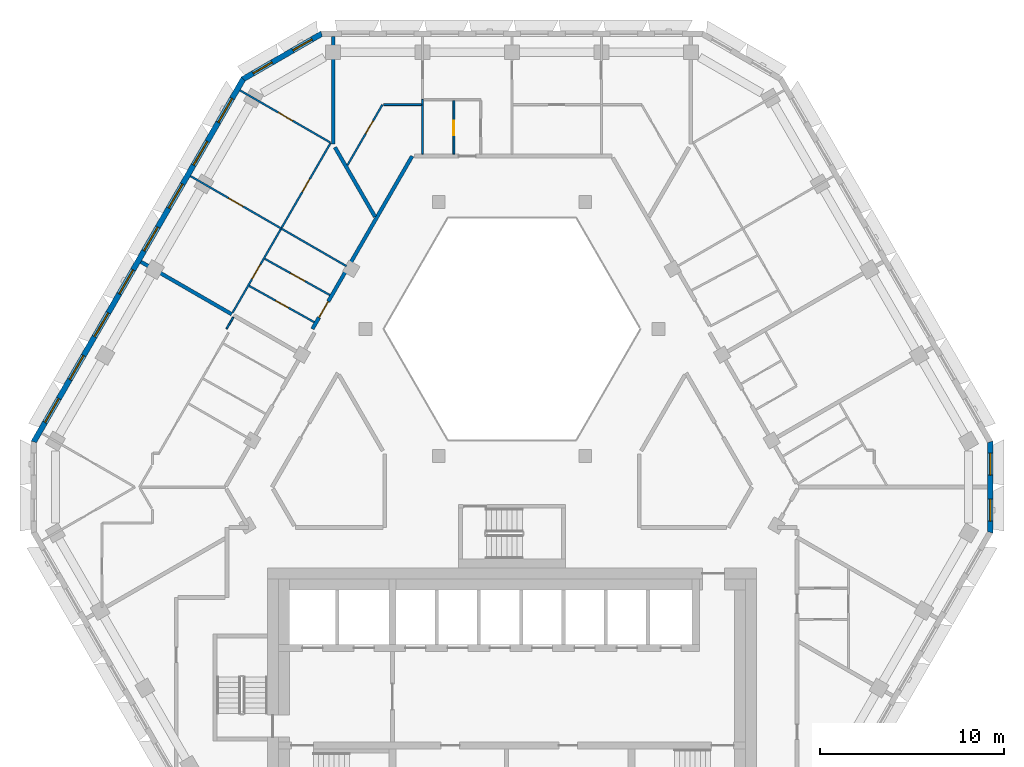
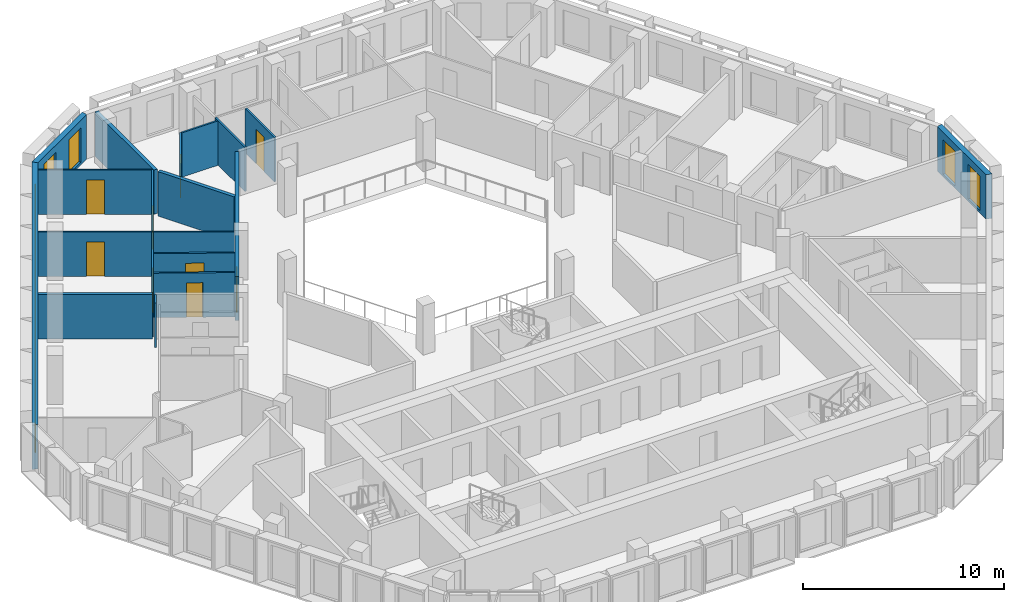
# One storey, part 7 of 18: 18 walls, 12 windows, 9 doors, 21 openings.
"""IFC4 building model written with IfcOpenShell, lengths in metres."""

from ifc_helpers import new_model, si_unit, direction, frame, frame_2d, origin, place, context, subcontext, project, spatial, polyline, rectangle, outline, extrude, material, layer, layer_set, type_object, element, fill, save


model = new_model("IFC4")

# Units and contexts
model_context = context("Model", 3, precision=1e-05, world=origin(), true_north=direction((0.0, 1.0)))
body_context = subcontext(model_context, "Body", "Model", "MODEL_VIEW")
ifc_project = project(units=[si_unit("LENGTHUNIT", "METRE"), si_unit("AREAUNIT", "SQUARE_METRE"), si_unit("VOLUMEUNIT", "CUBIC_METRE"), si_unit("PLANEANGLEUNIT", "RADIAN"), si_unit("MASSUNIT", "GRAM", prefix="KILO")], contexts=[model_context])

# Site, building, storey
site_placement = place(None, origin())
site = spatial("IfcSite", under=ifc_project, at=site_placement, CompositionType="ELEMENT")
building_placement = place(site_placement, origin())
building = spatial("IfcBuilding", under=site, at=building_placement, Name="Beryl Residences", CompositionType="ELEMENT")
storey_placement = place(building_placement, frame((0.0, 0.0, 184.199951171875)))
storey = spatial("IfcBuildingStorey", under=building, at=storey_placement, Name="L56", CompositionType="ELEMENT", Elevation=184.199951171875)

# Wall, openings, windows
ifc_material_1 = material(Name="Composite metal panel with mineral wool insulation")
ifc_layer_1 = layer(ifc_material_1, 0.300048828125)
ifc_layer_set_1 = layer_set([ifc_layer_1], Name="ES1 pale metal composite panel wall 300 mm")
wall_type_1 = type_object("IfcWallType", Name="ES1 pale metal composite panel wall 300 mm", PredefinedType="SOLIDWALL", material=ifc_layer_set_1)
wall_1_placement = place(storey_placement, frame((-10.31689453125, 24.070068359375, 0.0), z_axis=(0.0, 0.0, 1.0), x_axis=(-0.866022959057, -0.500004234368, 0.0)))
wall_1 = element("IfcWall", 1, at=wall_1_placement, inside=storey, type_object=wall_type_1, Name="ES1 external wall L56 N-NW", PredefinedType="SOLIDWALL", context=body_context, shape_type="SweptSolid", body=[
    extrude(outline(polyline([(0.0, -0.14990234375), (5.0, -0.14990234375), (4.919677734375, 0.14990234375), (0.080322265625, 0.14990234375), (0.0, -0.14990234375)])), origin(), (0.0, 0.0, 1.0), 2.699951171875),
])
opening_1_placement = place(wall_1_placement, frame((0.64990234375, 0.0, 0.14990234375)))
opening_1 = element("IfcOpeningElement", 2, at=opening_1_placement, cuts=wall_1, Name="Opening W2", PredefinedType="OPENING", context=body_context, shape_type="SweptSolid", body=[
    extrude(rectangle(XDim=1.199951171875, YDim=2.10009765625, at=frame_2d((0.60009765625, 1.050048828125))), frame((0.0, 0.159912109375, 0.0), z_axis=(0.0, -1.0, 0.0), x_axis=(1.0, 0.0, 0.0)), (0.0, 0.0, 1.0), 0.320068359375),
])
opening_2_placement = place(wall_1_placement, frame((3.14892578125, 0.0, 0.14990234375)))
opening_2 = element("IfcOpeningElement", 3, at=opening_2_placement, cuts=wall_1, Name="Opening W2", PredefinedType="OPENING", context=body_context, shape_type="SweptSolid", body=[
    extrude(rectangle(XDim=1.199951171875, YDim=2.10009765625, at=frame_2d((0.60009765625, 1.050048828125))), frame((0.0, 0.159912109375, 0.0), z_axis=(0.0, -1.0, 0.0), x_axis=(1.0, 0.0, 0.0)), (0.0, 0.0, 1.0), 0.320068359375),
])
ifc_material_2 = material(Name="Aluminium and clear glass", Category="aluminium")
window_type_1 = type_object("IfcWindowType", Name="W2 chamfer window 1200 x 2100 mm", PartitioningType="SINGLE_PANEL", PredefinedType="WINDOW", material=ifc_material_2)
window_1_placement = place(opening_1_placement, origin())
window_1 = element("IfcWindow", 4, at=window_1_placement, inside=storey, type_object=window_type_1, Name="W2 window L56 N-NW 1", OverallHeight=2.10009765625, OverallWidth=1.199951171875, PartitioningType="SINGLE_PANEL", PredefinedType="WINDOW", context=body_context, shape_type="SweptSolid", body=[
    extrude(rectangle(XDim=1.199951171875, YDim=2.10009765625, at=frame_2d((0.60009765625, 1.050048828125))), frame((0.0, 0.030029296875, 0.0), z_axis=(0.0, -1.0, 0.0), x_axis=(1.0, 0.0, 0.0)), (0.0, 0.0, 1.0), 0.06005859375),
])
fill(opening_1, window_1)
window_2_placement = place(opening_2_placement, origin())
window_2 = element("IfcWindow", 5, at=window_2_placement, inside=storey, type_object=window_type_1, Name="W2 window L56 N-NW 2", OverallHeight=2.10009765625, OverallWidth=1.199951171875, PartitioningType="SINGLE_PANEL", PredefinedType="WINDOW", context=body_context, shape_type="SweptSolid", body=[
    extrude(rectangle(XDim=1.199951171875, YDim=2.10009765625, at=frame_2d((0.60009765625, 1.050048828125))), frame((0.0, 0.030029296875, 0.0), z_axis=(0.0, -1.0, 0.0), x_axis=(1.0, 0.0, 0.0)), (0.0, 0.0, 1.0), 0.06005859375),
])
fill(opening_2, window_2)

wall_2_placement = place(storey_placement, frame((-14.592041015625, 21.625, 0.0), z_axis=(0.0, 0.0, 1.0), x_axis=(-0.500010537973, -0.866019319597, 0.0)))
wall_2 = element("IfcWall", 6, at=wall_2_placement, inside=storey, type_object=wall_type_1, Name="ES1 external wall L56 NW", PredefinedType="SOLIDWALL", context=body_context, shape_type="SweptSolid", body=[
    extrude(outline(polyline([(0.0, -0.14990234375), (22.86328125, -0.14990234375), (22.782958984375, 0.14990234375), (0.080322265625, 0.14990234375), (0.0, -0.14990234375)])), origin(), (0.0, 0.0, 1.0), 2.699951171875),
])
opening_3_placement = place(wall_2_placement, frame((1.259033203125, 0.0, 0.14990234375)))
opening_3 = element("IfcOpeningElement", 7, at=opening_3_placement, cuts=wall_2, Name="Opening W1", PredefinedType="OPENING", context=body_context, shape_type="SweptSolid", body=[
    extrude(rectangle(XDim=1.5, YDim=2.10009765625, at=frame_2d((0.75, 1.050048828125))), frame((0.0, 0.159912109375, 0.0), z_axis=(0.0, -1.0, 0.0), x_axis=(1.0, 0.0, 0.0)), (0.0, 0.0, 1.0), 0.320068359375),
])
opening_4_placement = place(wall_2_placement, frame((3.951904296875, 0.0, 0.14990234375)))
opening_4 = element("IfcOpeningElement", 8, at=opening_4_placement, cuts=wall_2, Name="Opening W1", PredefinedType="OPENING", context=body_context, shape_type="SweptSolid", body=[
    extrude(rectangle(XDim=1.5, YDim=2.10009765625, at=frame_2d((0.75, 1.050048828125))), frame((0.0, 0.159912109375, 0.0), z_axis=(0.0, -1.0, 0.0), x_axis=(1.0, 0.0, 0.0)), (0.0, 0.0, 1.0), 0.320068359375),
])
opening_5_placement = place(wall_2_placement, frame((6.64404296875, 0.0, 0.14990234375)))
opening_5 = element("IfcOpeningElement", 9, at=opening_5_placement, cuts=wall_2, Name="Opening W1", PredefinedType="OPENING", context=body_context, shape_type="SweptSolid", body=[
    extrude(rectangle(XDim=1.5, YDim=2.10009765625, at=frame_2d((0.75, 1.050048828125))), frame((0.0, 0.159912109375, 0.0), z_axis=(0.0, -1.0, 0.0), x_axis=(1.0, 0.0, 0.0)), (0.0, 0.0, 1.0), 0.320068359375),
])
opening_6_placement = place(wall_2_placement, frame((9.3349609375, 0.0, 0.14990234375)))
opening_6 = element("IfcOpeningElement", 10, at=opening_6_placement, cuts=wall_2, Name="Opening W1", PredefinedType="OPENING", context=body_context, shape_type="SweptSolid", body=[
    extrude(rectangle(XDim=1.5, YDim=2.10009765625, at=frame_2d((0.75, 1.050048828125))), frame((0.0, 0.159912109375, 0.0), z_axis=(0.0, -1.0, 0.0), x_axis=(1.0, 0.0, 0.0)), (0.0, 0.0, 1.0), 0.320068359375),
])
opening_7_placement = place(wall_2_placement, frame((12.028076171875, 0.0, 0.14990234375)))
opening_7 = element("IfcOpeningElement", 11, at=opening_7_placement, cuts=wall_2, Name="Opening W1", PredefinedType="OPENING", context=body_context, shape_type="SweptSolid", body=[
    extrude(rectangle(XDim=1.5, YDim=2.10009765625, at=frame_2d((0.75, 1.050048828125))), frame((0.0, 0.159912109375, 0.0), z_axis=(0.0, -1.0, 0.0), x_axis=(1.0, 0.0, 0.0)), (0.0, 0.0, 1.0), 0.320068359375),
])
opening_8_placement = place(wall_2_placement, frame((14.719970703125, 0.0, 0.14990234375)))
opening_8 = element("IfcOpeningElement", 12, at=opening_8_placement, cuts=wall_2, Name="Opening W1", PredefinedType="OPENING", context=body_context, shape_type="SweptSolid", body=[
    extrude(rectangle(XDim=1.5, YDim=2.10009765625, at=frame_2d((0.75, 1.050048828125))), frame((0.0, 0.159912109375, 0.0), z_axis=(0.0, -1.0, 0.0), x_axis=(1.0, 0.0, 0.0)), (0.0, 0.0, 1.0), 0.320068359375),
])
opening_9_placement = place(wall_2_placement, frame((17.410888671875, 0.0, 0.14990234375)))
opening_9 = element("IfcOpeningElement", 13, at=opening_9_placement, cuts=wall_2, Name="Opening W1", PredefinedType="OPENING", context=body_context, shape_type="SweptSolid", body=[
    extrude(rectangle(XDim=1.5, YDim=2.10009765625, at=frame_2d((0.75, 1.050048828125))), frame((0.0, 0.159912109375, 0.0), z_axis=(0.0, -1.0, 0.0), x_axis=(1.0, 0.0, 0.0)), (0.0, 0.0, 1.0), 0.320068359375),
])
opening_10_placement = place(wall_2_placement, frame((20.10400390625, 0.0, 0.14990234375)))
opening_10 = element("IfcOpeningElement", 14, at=opening_10_placement, cuts=wall_2, Name="Opening W1", PredefinedType="OPENING", context=body_context, shape_type="SweptSolid", body=[
    extrude(rectangle(XDim=1.5, YDim=2.10009765625, at=frame_2d((0.75, 1.050048828125))), frame((0.0, 0.159912109375, 0.0), z_axis=(0.0, -1.0, 0.0), x_axis=(1.0, 0.0, 0.0)), (0.0, 0.0, 1.0), 0.320068359375),
])
ifc_material_3 = material(Name="Aluminium and clear glass", Category="aluminium")
window_type_2 = type_object("IfcWindowType", Name="W1 cell window 1500 x 2100 mm", PartitioningType="SINGLE_PANEL", PredefinedType="WINDOW", material=ifc_material_3)
window_3_placement = place(opening_3_placement, origin())
window_3 = element("IfcWindow", 15, at=window_3_placement, inside=storey, type_object=window_type_2, Name="W1 window L56 NW 1", OverallHeight=2.10009765625, OverallWidth=1.5, PartitioningType="SINGLE_PANEL", PredefinedType="WINDOW", context=body_context, shape_type="SweptSolid", body=[
    extrude(rectangle(XDim=1.5, YDim=2.10009765625, at=frame_2d((0.75, 1.050048828125))), frame((0.0, 0.030029296875, 0.0), z_axis=(0.0, -1.0, 0.0), x_axis=(1.0, 0.0, 0.0)), (0.0, 0.0, 1.0), 0.06005859375),
])
fill(opening_3, window_3)
window_4_placement = place(opening_4_placement, origin())
window_4 = element("IfcWindow", 16, at=window_4_placement, inside=storey, type_object=window_type_2, Name="W1 window L56 NW 2", OverallHeight=2.10009765625, OverallWidth=1.5, PartitioningType="SINGLE_PANEL", PredefinedType="WINDOW", context=body_context, shape_type="SweptSolid", body=[
    extrude(rectangle(XDim=1.5, YDim=2.10009765625, at=frame_2d((0.75, 1.050048828125))), frame((0.0, 0.030029296875, 0.0), z_axis=(0.0, -1.0, 0.0), x_axis=(1.0, 0.0, 0.0)), (0.0, 0.0, 1.0), 0.06005859375),
])
fill(opening_4, window_4)
window_5_placement = place(opening_5_placement, origin())
window_5 = element("IfcWindow", 17, at=window_5_placement, inside=storey, type_object=window_type_2, Name="W1 window L56 NW 3", OverallHeight=2.10009765625, OverallWidth=1.5, PartitioningType="SINGLE_PANEL", PredefinedType="WINDOW", context=body_context, shape_type="SweptSolid", body=[
    extrude(rectangle(XDim=1.5, YDim=2.10009765625, at=frame_2d((0.75, 1.050048828125))), frame((0.0, 0.030029296875, 0.0), z_axis=(0.0, -1.0, 0.0), x_axis=(1.0, 0.0, 0.0)), (0.0, 0.0, 1.0), 0.06005859375),
])
fill(opening_5, window_5)
window_6_placement = place(opening_6_placement, origin())
window_6 = element("IfcWindow", 18, at=window_6_placement, inside=storey, type_object=window_type_2, Name="W1 window L56 NW 4", OverallHeight=2.10009765625, OverallWidth=1.5, PartitioningType="SINGLE_PANEL", PredefinedType="WINDOW", context=body_context, shape_type="SweptSolid", body=[
    extrude(rectangle(XDim=1.5, YDim=2.10009765625, at=frame_2d((0.75, 1.050048828125))), frame((0.0, 0.030029296875, 0.0), z_axis=(0.0, -1.0, 0.0), x_axis=(1.0, 0.0, 0.0)), (0.0, 0.0, 1.0), 0.06005859375),
])
fill(opening_6, window_6)
window_7_placement = place(opening_7_placement, origin())
window_7 = element("IfcWindow", 19, at=window_7_placement, inside=storey, type_object=window_type_2, Name="W1 window L56 NW 5", OverallHeight=2.10009765625, OverallWidth=1.5, PartitioningType="SINGLE_PANEL", PredefinedType="WINDOW", context=body_context, shape_type="SweptSolid", body=[
    extrude(rectangle(XDim=1.5, YDim=2.10009765625, at=frame_2d((0.75, 1.050048828125))), frame((0.0, 0.030029296875, 0.0), z_axis=(0.0, -1.0, 0.0), x_axis=(1.0, 0.0, 0.0)), (0.0, 0.0, 1.0), 0.06005859375),
])
fill(opening_7, window_7)
window_8_placement = place(opening_8_placement, origin())
window_8 = element("IfcWindow", 20, at=window_8_placement, inside=storey, type_object=window_type_2, Name="W1 window L56 NW 6", OverallHeight=2.10009765625, OverallWidth=1.5, PartitioningType="SINGLE_PANEL", PredefinedType="WINDOW", context=body_context, shape_type="SweptSolid", body=[
    extrude(rectangle(XDim=1.5, YDim=2.10009765625, at=frame_2d((0.75, 1.050048828125))), frame((0.0, 0.030029296875, 0.0), z_axis=(0.0, -1.0, 0.0), x_axis=(1.0, 0.0, 0.0)), (0.0, 0.0, 1.0), 0.06005859375),
])
fill(opening_8, window_8)
window_9_placement = place(opening_9_placement, origin())
window_9 = element("IfcWindow", 21, at=window_9_placement, inside=storey, type_object=window_type_2, Name="W1 window L56 NW 7", OverallHeight=2.10009765625, OverallWidth=1.5, PartitioningType="SINGLE_PANEL", PredefinedType="WINDOW", context=body_context, shape_type="SweptSolid", body=[
    extrude(rectangle(XDim=1.5, YDim=2.10009765625, at=frame_2d((0.75, 1.050048828125))), frame((0.0, 0.030029296875, 0.0), z_axis=(0.0, -1.0, 0.0), x_axis=(1.0, 0.0, 0.0)), (0.0, 0.0, 1.0), 0.06005859375),
])
fill(opening_9, window_9)
window_10_placement = place(opening_10_placement, origin())
window_10 = element("IfcWindow", 22, at=window_10_placement, inside=storey, type_object=window_type_2, Name="W1 window L56 NW 8", OverallHeight=2.10009765625, OverallWidth=1.5, PartitioningType="SINGLE_PANEL", PredefinedType="WINDOW", context=body_context, shape_type="SweptSolid", body=[
    extrude(rectangle(XDim=1.5, YDim=2.10009765625, at=frame_2d((0.75, 1.050048828125))), frame((0.0, 0.030029296875, 0.0), z_axis=(0.0, -1.0, 0.0), x_axis=(1.0, 0.0, 0.0)), (0.0, 0.0, 1.0), 0.06005859375),
])
fill(opening_10, window_10)

wall_3_placement = place(storey_placement, frame((26.00390625, -3.10009765625, 0.0), z_axis=(0.0, 0.0, 1.0), x_axis=(0.0, 1.0, 0.0)))
wall_3 = element("IfcWall", 23, at=wall_3_placement, inside=storey, type_object=wall_type_1, Name="ES1 external wall L56 SE-NE", PredefinedType="SOLIDWALL", context=body_context, shape_type="SweptSolid", body=[
    extrude(outline(polyline([(0.0, -0.14990234375), (5.0, -0.14990234375), (4.919677734375, 0.14990234375), (0.080322265625, 0.14990234375), (0.0, -0.14990234375)])), origin(), (0.0, 0.0, 1.0), 2.699951171875),
])
opening_11_placement = place(wall_3_placement, frame((0.64990234375, 0.0, 0.14990234375)))
opening_11 = element("IfcOpeningElement", 24, at=opening_11_placement, cuts=wall_3, Name="Opening W2", PredefinedType="OPENING", context=body_context, shape_type="SweptSolid", body=[
    extrude(rectangle(XDim=1.199951171875, YDim=2.10009765625, at=frame_2d((0.60009765625, 1.050048828125))), frame((0.0, 0.159912109375, 0.0), z_axis=(0.0, -1.0, 0.0), x_axis=(1.0, 0.0, 0.0)), (0.0, 0.0, 1.0), 0.320068359375),
])
opening_12_placement = place(wall_3_placement, frame((3.14990234375, 0.0, 0.14990234375)))
opening_12 = element("IfcOpeningElement", 25, at=opening_12_placement, cuts=wall_3, Name="Opening W2", PredefinedType="OPENING", context=body_context, shape_type="SweptSolid", body=[
    extrude(rectangle(XDim=1.199951171875, YDim=2.10009765625, at=frame_2d((0.60009765625, 1.050048828125))), frame((0.0, 0.159912109375, 0.0), z_axis=(0.0, -1.0, 0.0), x_axis=(1.0, 0.0, 0.0)), (0.0, 0.0, 1.0), 0.320068359375),
])
window_11_placement = place(opening_11_placement, origin())
window_11 = element("IfcWindow", 26, at=window_11_placement, inside=storey, type_object=window_type_1, Name="W2 window L56 SE-NE 1", OverallHeight=2.10009765625, OverallWidth=1.199951171875, PartitioningType="SINGLE_PANEL", PredefinedType="WINDOW", context=body_context, shape_type="SweptSolid", body=[
    extrude(rectangle(XDim=1.199951171875, YDim=2.10009765625, at=frame_2d((0.60009765625, 1.050048828125))), frame((0.0, 0.030029296875, 0.0), z_axis=(0.0, -1.0, 0.0), x_axis=(1.0, 0.0, 0.0)), (0.0, 0.0, 1.0), 0.06005859375),
])
fill(opening_11, window_11)
window_12_placement = place(opening_12_placement, origin())
window_12 = element("IfcWindow", 27, at=window_12_placement, inside=storey, type_object=window_type_1, Name="W2 window L56 SE-NE 2", OverallHeight=2.10009765625, OverallWidth=1.199951171875, PartitioningType="SINGLE_PANEL", PredefinedType="WINDOW", context=body_context, shape_type="SweptSolid", body=[
    extrude(rectangle(XDim=1.199951171875, YDim=2.10009765625, at=frame_2d((0.60009765625, 1.050048828125))), frame((0.0, 0.030029296875, 0.0), z_axis=(0.0, -1.0, 0.0), x_axis=(1.0, 0.0, 0.0)), (0.0, 0.0, 1.0), 0.06005859375),
])
fill(opening_12, window_12)

# Wall, opening, door
ifc_material_4 = material(Name="Gypsum board partition on steel studs", Category="steel")
ifc_layer_2 = layer(ifc_material_4, 0.10009765625)
ifc_layer_set_2 = layer_set([ifc_layer_2], Name="PT1 partition 100 mm gypsum board on steel studs")
wall_type_2 = type_object("IfcWallType", Name="PT1 partition 100 mm gypsum board on steel studs", PredefinedType="PARTITIONING", material=ifc_layer_set_2)
wall_4_placement = place(storey_placement, frame((-13.444091796875, 11.81396484375, 0.0), z_axis=(0.0, 0.0, 1.0), x_axis=(0.873653620945, -0.486548405207, 0.0)))
wall_4 = element("IfcWall", 28, at=wall_4_placement, inside=storey, type_object=wall_type_2, Name="Wall PT1 L56 009", PredefinedType="PARTITIONING", context=body_context, shape_type="SweptSolid", body=[
    extrude(rectangle(XDim=4.05078125, YDim=0.10009765625, at=frame_2d((2.025390625, 0.0))), origin(), (0.0, 0.0, 1.0), 2.699951171875),
])
opening_13_placement = place(wall_4_placement, frame((1.60009765625, 0.0, 0.0)))
opening_13 = element("IfcOpeningElement", 29, at=opening_13_placement, cuts=wall_4, Name="Opening D1519", PredefinedType="OPENING", context=body_context, shape_type="SweptSolid", body=[
    extrude(rectangle(XDim=0.89990234375, YDim=2.10009765625, at=frame_2d((0.449951171875, 1.050048828125))), frame((0.0, 0.06005859375, 0.0), z_axis=(0.0, -1.0, 0.0), x_axis=(1.0, 0.0, 0.0)), (0.0, 0.0, 1.0), 0.1201171875),
])
ifc_material_5 = material(Name="Timber door leaf", Category="wood")
door_type_1 = type_object("IfcDoorType", Name="D2 room door 900 x 2100 mm", OperationType="SINGLE_SWING_LEFT", PredefinedType="DOOR", material=ifc_material_5)
door_1_placement = place(opening_13_placement, origin())
door_1 = element("IfcDoor", 30, at=door_1_placement, inside=storey, type_object=door_type_1, Name="Door D1519 L56 001", OperationType="SINGLE_SWING_LEFT", OverallHeight=2.10009765625, OverallWidth=0.89990234375, PredefinedType="DOOR", context=body_context, shape_type="SweptSolid", body=[
    extrude(rectangle(XDim=0.89990234375, YDim=2.10009765625, at=frame_2d((0.449951171875, 1.050048828125))), frame((0.0, 0.02490234375, 0.0), z_axis=(0.0, -1.0, 0.0), x_axis=(1.0, 0.0, 0.0)), (0.0, 0.0, 1.0), 0.050048828125),
])
fill(opening_13, door_1)

wall_5_placement = place(storey_placement, frame((-14.2939453125, 10.342041015625, 0.0), z_axis=(0.0, 0.0, 1.0), x_axis=(0.873582256032, -0.486676527013, 0.0)))
wall_5 = element("IfcWall", 31, at=wall_5_placement, inside=storey, type_object=wall_type_2, Name="Wall PT1 L56 010", PredefinedType="PARTITIONING", context=body_context, shape_type="SweptSolid", body=[
    extrude(rectangle(XDim=4.0498046875, YDim=0.10009765625, at=frame_2d((2.02490234375, 0.0))), origin(), (0.0, 0.0, 1.0), 2.699951171875),
])
opening_14_placement = place(wall_5_placement, frame((1.64990234375, 0.0, 0.0)))
opening_14 = element("IfcOpeningElement", 32, at=opening_14_placement, cuts=wall_5, Name="Opening D1518", PredefinedType="OPENING", context=body_context, shape_type="SweptSolid", body=[
    extrude(rectangle(XDim=0.800048828125, YDim=2.10009765625, at=frame_2d((0.39990234375, 1.050048828125))), frame((0.0, 0.06005859375, 0.0), z_axis=(0.0, -1.0, 0.0), x_axis=(1.0, 0.0, 0.0)), (0.0, 0.0, 1.0), 0.1201171875),
])
ifc_material_6 = material(Name="Timber door leaf", Category="wood")
door_type_2 = type_object("IfcDoorType", Name="D3 bathroom door 800 x 2100 mm", OperationType="SINGLE_SWING_LEFT", PredefinedType="DOOR", material=ifc_material_6)
door_2_placement = place(opening_14_placement, origin())
door_2 = element("IfcDoor", 33, at=door_2_placement, inside=storey, type_object=door_type_2, Name="Door D1518 L56 001", OperationType="SINGLE_SWING_RIGHT", OverallHeight=2.10009765625, OverallWidth=0.800048828125, PredefinedType="DOOR", context=body_context, shape_type="SweptSolid", body=[
    extrude(rectangle(XDim=0.800048828125, YDim=2.10009765625, at=frame_2d((0.39990234375, 1.050048828125))), frame((0.0, 0.02490234375, 0.0), z_axis=(0.0, -1.0, 0.0), x_axis=(1.0, 0.0, 0.0)), (0.0, 0.0, 1.0), 0.050048828125),
])
fill(opening_14, door_2)

wall_6_placement = place(storey_placement, frame((-17.486083984375, 16.31298828125, 0.0), z_axis=(0.0, 0.0, 1.0), x_axis=(0.866004402611, -0.500036373335, 0.0)))
wall_6 = element("IfcWall", 34, at=wall_6_placement, inside=storey, type_object=wall_type_2, Name="Wall PT1 L56 015", PredefinedType="PARTITIONING", context=body_context, shape_type="SweptSolid", body=[
    extrude(rectangle(XDim=5.69970703125, YDim=0.10009765625, at=frame_2d((2.849853515625, 0.0))), origin(), (0.0, 0.0, 1.0), 2.699951171875),
])
opening_15_placement = place(wall_6_placement, frame((2.39990234375, 0.0, 0.0)))
opening_15 = element("IfcOpeningElement", 35, at=opening_15_placement, cuts=wall_6, Name="Opening D1521", PredefinedType="OPENING", context=body_context, shape_type="SweptSolid", body=[
    extrude(rectangle(XDim=0.89990234375, YDim=2.10009765625, at=frame_2d((0.449951171875, 1.050048828125))), frame((0.0, 0.06005859375, 0.0), z_axis=(0.0, -1.0, 0.0), x_axis=(1.0, 0.0, 0.0)), (0.0, 0.0, 1.0), 0.1201171875),
])
door_3_placement = place(opening_15_placement, origin())
door_3 = element("IfcDoor", 36, at=door_3_placement, inside=storey, type_object=door_type_1, Name="Door D1521 L56 001", OperationType="SINGLE_SWING_LEFT", OverallHeight=2.10009765625, OverallWidth=0.89990234375, PredefinedType="DOOR", context=body_context, shape_type="SweptSolid", body=[
    extrude(rectangle(XDim=0.89990234375, YDim=2.10009765625, at=frame_2d((0.449951171875, 1.050048828125))), frame((0.0, 0.02490234375, 0.0), z_axis=(0.0, -1.0, 0.0), x_axis=(1.0, 0.0, 0.0)), (0.0, 0.0, 1.0), 0.050048828125),
])
fill(opening_15, door_3)

wall_7_placement = place(storey_placement, frame((-14.7939453125, 20.97509765625, 0.0), z_axis=(0.0, 0.0, 1.0), x_axis=(0.865989811779, -0.500061642096, 0.0)))
wall_7 = element("IfcWall", 37, at=wall_7_placement, inside=storey, type_object=wall_type_2, Name="Wall PT1 L56 016", PredefinedType="PARTITIONING", context=body_context, shape_type="SweptSolid", body=[
    extrude(rectangle(XDim=5.669677734375, YDim=0.10009765625, at=frame_2d((2.8349609375, 0.0))), origin(), (0.0, 0.0, 1.0), 2.699951171875),
])
opening_16_placement = place(wall_7_placement, frame((2.409912109375, 0.0, 0.0)))
opening_16 = element("IfcOpeningElement", 38, at=opening_16_placement, cuts=wall_7, Name="Opening D1522", PredefinedType="OPENING", context=body_context, shape_type="SweptSolid", body=[
    extrude(rectangle(XDim=0.89990234375, YDim=2.10009765625, at=frame_2d((0.449951171875, 1.050048828125))), frame((0.0, 0.06005859375, 0.0), z_axis=(0.0, -1.0, 0.0), x_axis=(1.0, 0.0, 0.0)), (0.0, 0.0, 1.0), 0.1201171875),
])
door_4_placement = place(opening_16_placement, origin())
door_4 = element("IfcDoor", 39, at=door_4_placement, inside=storey, type_object=door_type_1, Name="Door D1522 L56 001", OperationType="SINGLE_SWING_RIGHT", OverallHeight=2.10009765625, OverallWidth=0.89990234375, PredefinedType="DOOR", context=body_context, shape_type="SweptSolid", body=[
    extrude(rectangle(XDim=0.89990234375, YDim=2.10009765625, at=frame_2d((0.449951171875, 1.050048828125))), frame((0.0, 0.02490234375, 0.0), z_axis=(0.0, -1.0, 0.0), x_axis=(1.0, 0.0, 0.0)), (0.0, 0.0, 1.0), 0.050048828125),
])
fill(opening_16, door_4)

# Wall
wall_8_placement = place(storey_placement, frame((-6.985107421875, 20.199951171875, 0.0), z_axis=(0.0, 0.0, 1.0), x_axis=(1.0, 0.0, 0.0)))
element("IfcWall", 40, at=wall_8_placement, inside=storey, type_object=wall_type_2, Name="Wall PT1 L56 023", PredefinedType="PARTITIONING", context=body_context, shape_type="SweptSolid", body=[
    extrude(rectangle(XDim=2.071044921875, YDim=0.10009765625, at=frame_2d((1.03564453125, 0.0))), origin(), (0.0, 0.0, 1.0), 2.699951171875),
])

# Wall, opening, door
wall_9_placement = place(storey_placement, frame((-8.948974609375, 16.89990234375, 0.0), z_axis=(0.0, 0.0, 1.0), x_axis=(0.499949850951, 0.866054355415, 0.0)))
wall_9 = element("IfcWall", 41, at=wall_9_placement, inside=storey, type_object=wall_type_2, Name="Wall PT1 L56 026", PredefinedType="PARTITIONING", context=body_context, shape_type="SweptSolid", body=[
    extrude(rectangle(XDim=3.810546875, YDim=0.10009765625, at=frame_2d((1.9052734375, 0.0))), origin(), (0.0, 0.0, 1.0), 2.699951171875),
])
opening_17_placement = place(wall_9_placement, frame((1.991943359375, 0.0, 0.0)))
opening_17 = element("IfcOpeningElement", 42, at=opening_17_placement, cuts=wall_9, Name="Opening D1516", PredefinedType="OPENING", context=body_context, shape_type="SweptSolid", body=[
    extrude(rectangle(XDim=0.800048828125, YDim=2.10009765625, at=frame_2d((0.39990234375, 1.050048828125))), frame((0.0, 0.06005859375, 0.0), z_axis=(0.0, -1.0, 0.0), x_axis=(1.0, 0.0, 0.0)), (0.0, 0.0, 1.0), 0.1201171875),
])
door_5_placement = place(opening_17_placement, origin())
door_5 = element("IfcDoor", 43, at=door_5_placement, inside=storey, type_object=door_type_2, Name="Door D1516 L56 001", OperationType="SINGLE_SWING_RIGHT", OverallHeight=2.10009765625, OverallWidth=0.800048828125, PredefinedType="DOOR", context=body_context, shape_type="SweptSolid", body=[
    extrude(rectangle(XDim=0.800048828125, YDim=2.10009765625, at=frame_2d((0.39990234375, 1.050048828125))), frame((0.0, 0.02490234375, 0.0), z_axis=(0.0, -1.0, 0.0), x_axis=(1.0, 0.0, 0.0)), (0.0, 0.0, 1.0), 0.050048828125),
])
fill(opening_17, door_5)

# Wall
wall_10_placement = place(storey_placement, frame((-15.528076171875, 8.0, 0.0), z_axis=(0.0, 0.0, 1.0), x_axis=(0.500421336976, 0.865782008071, 0.0)))
element("IfcWall", 44, at=wall_10_placement, inside=storey, type_object=wall_type_2, Name="Wall PT1 L56 029", PredefinedType="PARTITIONING", context=body_context, shape_type="SweptSolid", body=[
    extrude(rectangle(XDim=0.735595703125, YDim=0.10009765625, at=frame_2d((0.36767578125, 0.0))), origin(), (0.0, 0.0, 1.0), 2.699951171875),
])

# Wall, openings, doors
wall_11_placement = place(storey_placement, frame((-15.19189453125, 8.886962890625, 0.0), z_axis=(0.0, 0.0, 1.0), x_axis=(0.500028204665, 0.866009119201, 0.0)))
wall_11 = element("IfcWall", 45, at=wall_11_placement, inside=storey, type_object=wall_type_2, Name="Wall PT1 L56 030", PredefinedType="PARTITIONING", context=body_context, shape_type="SweptSolid", body=[
    extrude(rectangle(XDim=10.66748046875, YDim=0.10009765625, at=frame_2d((5.333740234375, 0.0))), origin(), (0.0, 0.0, 1.0), 2.699951171875),
])
opening_18_placement = place(wall_11_placement, frame((2.10791015625, 0.0, 0.0)))
opening_18 = element("IfcOpeningElement", 46, at=opening_18_placement, cuts=wall_11, Name="Opening D1520", PredefinedType="OPENING", context=body_context, shape_type="SweptSolid", body=[
    extrude(rectangle(XDim=0.89990234375, YDim=2.10009765625, at=frame_2d((0.449951171875, 1.050048828125))), frame((0.0, 0.06005859375, 0.0), z_axis=(0.0, -1.0, 0.0), x_axis=(1.0, 0.0, 0.0)), (0.0, 0.0, 1.0), 0.1201171875),
])
opening_19_placement = place(wall_11_placement, frame((7.575927734375, 0.0, 0.0)))
opening_19 = element("IfcOpeningElement", 47, at=opening_19_placement, cuts=wall_11, Name="Opening D1523", PredefinedType="OPENING", context=body_context, shape_type="SweptSolid", body=[
    extrude(rectangle(XDim=0.800048828125, YDim=2.10009765625, at=frame_2d((0.39990234375, 1.050048828125))), frame((0.0, 0.06005859375, 0.0), z_axis=(0.0, -1.0, 0.0), x_axis=(1.0, 0.0, 0.0)), (0.0, 0.0, 1.0), 0.1201171875),
])
door_6_placement = place(opening_18_placement, origin())
door_6 = element("IfcDoor", 48, at=door_6_placement, inside=storey, type_object=door_type_1, Name="Door D1520 L56 001", OperationType="SINGLE_SWING_RIGHT", OverallHeight=2.10009765625, OverallWidth=0.89990234375, PredefinedType="DOOR", context=body_context, shape_type="SweptSolid", body=[
    extrude(rectangle(XDim=0.89990234375, YDim=2.10009765625, at=frame_2d((0.449951171875, 1.050048828125))), frame((0.0, 0.02490234375, 0.0), z_axis=(0.0, -1.0, 0.0), x_axis=(1.0, 0.0, 0.0)), (0.0, 0.0, 1.0), 0.050048828125),
])
fill(opening_18, door_6)
door_7_placement = place(opening_19_placement, origin())
door_7 = element("IfcDoor", 49, at=door_7_placement, inside=storey, type_object=door_type_2, Name="Door D1523 L56 001", OperationType="SINGLE_SWING_LEFT", OverallHeight=2.10009765625, OverallWidth=0.800048828125, PredefinedType="DOOR", context=body_context, shape_type="SweptSolid", body=[
    extrude(rectangle(XDim=0.800048828125, YDim=2.10009765625, at=frame_2d((0.39990234375, 1.050048828125))), frame((0.0, 0.02490234375, 0.0), z_axis=(0.0, -1.0, 0.0), x_axis=(1.0, 0.0, 0.0)), (0.0, 0.0, 1.0), 0.050048828125),
])
fill(opening_19, door_7)

# Wall, opening, door
wall_12_placement = place(storey_placement, frame((-3.162109375, 17.5, 0.0), z_axis=(0.0, 0.0, 1.0), x_axis=(0.0, 1.0, 0.0)))
wall_12 = element("IfcWall", 50, at=wall_12_placement, inside=storey, type_object=wall_type_2, Name="Wall PT1 L56 035", PredefinedType="PARTITIONING", context=body_context, shape_type="SweptSolid", body=[
    extrude(rectangle(XDim=2.909912109375, YDim=0.10009765625, at=frame_2d((1.455078125, 0.0))), origin(), (0.0, 0.0, 1.0), 2.699951171875),
])
opening_20_placement = place(wall_12_placement, frame((1.030029296875, 0.0, 0.0)))
opening_20 = element("IfcOpeningElement", 51, at=opening_20_placement, cuts=wall_12, Name="Opening D1510", PredefinedType="OPENING", context=body_context, shape_type="SweptSolid", body=[
    extrude(rectangle(XDim=0.800048828125, YDim=2.10009765625, at=frame_2d((0.39990234375, 1.050048828125))), frame((0.0, 0.06005859375, 0.0), z_axis=(0.0, -1.0, 0.0), x_axis=(1.0, 0.0, 0.0)), (0.0, 0.0, 1.0), 0.1201171875),
])
door_8_placement = place(opening_20_placement, origin())
door_8 = element("IfcDoor", 52, at=door_8_placement, inside=storey, type_object=door_type_2, Name="Door D1510 L56 001", OperationType="SINGLE_SWING_RIGHT", OverallHeight=2.10009765625, OverallWidth=0.800048828125, PredefinedType="DOOR", context=body_context, shape_type="SweptSolid", body=[
    extrude(rectangle(XDim=0.800048828125, YDim=2.10009765625, at=frame_2d((0.39990234375, 1.050048828125))), frame((0.0, 0.02490234375, 0.0), z_axis=(0.0, -1.0, 0.0), x_axis=(1.0, 0.0, 0.0)), (0.0, 0.0, 1.0), 0.050048828125),
])
fill(opening_20, door_8)

# Walls
wall_13_placement = place(storey_placement, frame((-4.864013671875, 17.5, 0.0), z_axis=(0.0, 0.0, 1.0), x_axis=(0.0, 1.0, 0.0)))
element("IfcWall", 53, at=wall_13_placement, inside=storey, type_object=wall_type_2, Name="Wall PT1 L56 036", PredefinedType="PARTITIONING", context=body_context, shape_type="SweptSolid", body=[
    extrude(rectangle(XDim=2.97998046875, YDim=0.10009765625, at=frame_2d((1.489990234375, 0.0))), origin(), (0.0, 0.0, 1.0), 2.699951171875),
])
wall_14_placement = place(storey_placement, frame((-12.550048828125, 13.462890625, 0.0), z_axis=(0.0, 0.0, 1.0), x_axis=(0.86606561423, -0.499930346997, 0.0)))
element("IfcWall", 54, at=wall_14_placement, inside=storey, type_object=wall_type_2, Name="Wall PT1 L56 050", PredefinedType="PARTITIONING", context=body_context, shape_type="SweptSolid", body=[
    extrude(rectangle(XDim=4.10009765625, YDim=0.10009765625, at=frame_2d((2.050048828125, 0.0))), origin(), (0.0, 0.0, 1.0), 2.699951171875),
])
ifc_material_7 = material(Name="Acoustic double stud gypsum board wall")
ifc_layer_3 = layer(ifc_material_7, 0.199951171875)
ifc_layer_set_3 = layer_set([ifc_layer_3], Name="PT3 party wall 200 mm acoustic double stud")
wall_type_3 = type_object("IfcWallType", Name="PT3 party wall 200 mm acoustic double stud", PredefinedType="PARTITIONING", material=ifc_layer_set_3)
wall_15_placement = place(storey_placement, frame((-9.6279296875, 17.876953125, 0.0), z_axis=(0.0, 0.0, 1.0), x_axis=(0.499890461358, -0.866088636713, 0.0)))
element("IfcWall", 55, at=wall_15_placement, inside=storey, type_object=wall_type_3, Name="Wall PT3 L56 001", PredefinedType="PARTITIONING", context=body_context, shape_type="SweptSolid", body=[
    extrude(rectangle(XDim=4.36083984375, YDim=0.199951171875, at=frame_2d((2.180419921875, 0.0))), origin(), (0.0, 0.0, 1.0), 2.699951171875),
])
wall_16_placement = place(storey_placement, frame((-20.177978515625, 11.64990234375, 0.0), z_axis=(0.0, 0.0, 1.0), x_axis=(0.866022950691, -0.500004248858, 0.0)))
element("IfcWall", 56, at=wall_16_placement, inside=storey, type_object=wall_type_3, Name="Wall PT3 L56 003", PredefinedType="PARTITIONING", context=body_context, shape_type="SweptSolid", body=[
    extrude(rectangle(XDim=5.69970703125, YDim=0.199951171875, at=frame_2d((2.849853515625, 0.0))), origin(), (0.0, 0.0, 1.0), 2.699951171875),
])
wall_17_placement = place(storey_placement, frame((-9.72802734375, 18.050048828125, 0.0), z_axis=(0.0, 0.0, 1.0), x_axis=(0.0, 1.0, 0.0)))
element("IfcWall", 57, at=wall_17_placement, inside=storey, type_object=wall_type_3, Name="Wall PT3 L56 010", PredefinedType="PARTITIONING", context=body_context, shape_type="SweptSolid", body=[
    extrude(rectangle(XDim=5.849853515625, YDim=0.199951171875, at=frame_2d((2.9248046875, 0.0))), origin(), (0.0, 0.0, 1.0), 2.699951171875),
])

# Wall, opening, door
ifc_material_8 = material(Name="Double stud gypsum board wall")
ifc_layer_4 = layer(ifc_material_8, 0.199951171875)
ifc_layer_set_4 = layer_set([ifc_layer_4], Name="PT4 corridor wall 200 mm double stud")
wall_type_4 = type_object("IfcWallType", Name="PT4 corridor wall 200 mm double stud", PredefinedType="PARTITIONING", material=ifc_layer_set_4)
wall_18_placement = place(storey_placement, frame((-10.85400390625, 8.0, 0.0), z_axis=(0.0, 0.0, 1.0), x_axis=(0.499997637144, 0.866026767976, 0.0)))
wall_18 = element("IfcWall", 58, at=wall_18_placement, inside=storey, type_object=wall_type_4, Name="Wall PT4 L56 020", PredefinedType="PARTITIONING", context=body_context, shape_type="SweptSolid", body=[
    extrude(rectangle(XDim=10.85400390625, YDim=0.199951171875, at=frame_2d((5.427001953125, 0.0))), origin(), (0.0, 0.0, 1.0), 2.699951171875),
])
opening_21_placement = place(wall_18_placement, frame((0.720947265625, 0.0, 0.0)))
opening_21 = element("IfcOpeningElement", 59, at=opening_21_placement, cuts=wall_18, Name="Opening D1517", PredefinedType="OPENING", context=body_context, shape_type="SweptSolid", body=[
    extrude(rectangle(XDim=1.0, YDim=2.10009765625, at=frame_2d((0.5, 1.050048828125))), frame((0.0, 0.10986328125, 0.0), z_axis=(0.0, -1.0, 0.0), x_axis=(1.0, 0.0, 0.0)), (0.0, 0.0, 1.0), 0.219970703125),
])
ifc_material_9 = material(Name="Timber door leaf", Category="wood")
door_type_3 = type_object("IfcDoorType", Name="D1 flat entrance door 1000 x 2100 mm", OperationType="SINGLE_SWING_LEFT", PredefinedType="DOOR", material=ifc_material_9)
door_9_placement = place(opening_21_placement, origin())
door_9 = element("IfcDoor", 60, at=door_9_placement, inside=storey, type_object=door_type_3, Name="Door D1517 L56 001", OperationType="SINGLE_SWING_LEFT", OverallHeight=2.10009765625, OverallWidth=1.0, PredefinedType="DOOR", context=body_context, shape_type="SweptSolid", body=[
    extrude(rectangle(XDim=1.0, YDim=2.10009765625, at=frame_2d((0.5, 1.050048828125))), frame((0.0, 0.02490234375, 0.0), z_axis=(0.0, -1.0, 0.0), x_axis=(1.0, 0.0, 0.0)), (0.0, 0.0, 1.0), 0.050048828125),
])
fill(opening_21, door_9)

save(model, "model.ifc")
